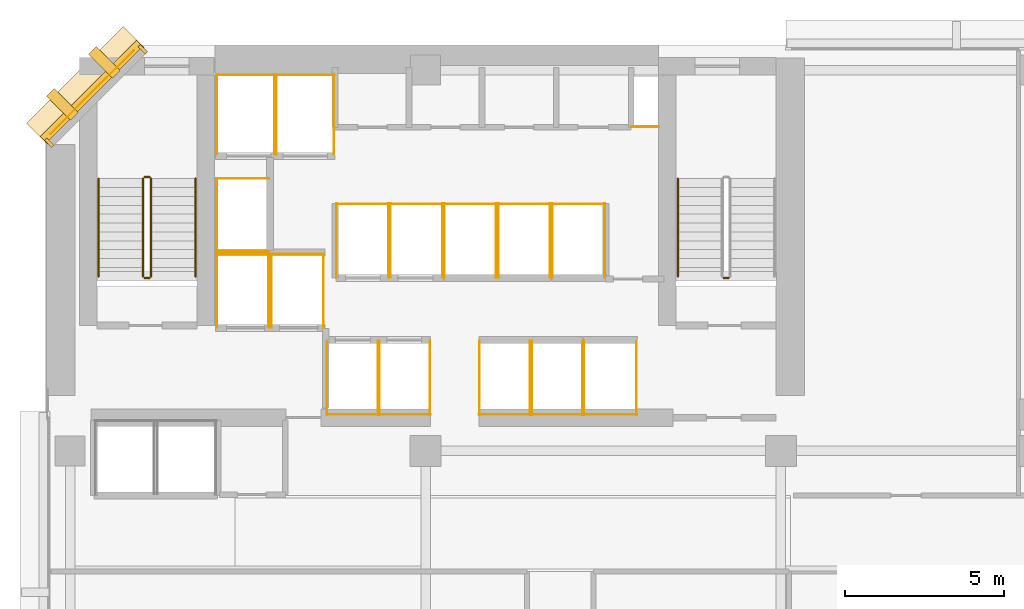
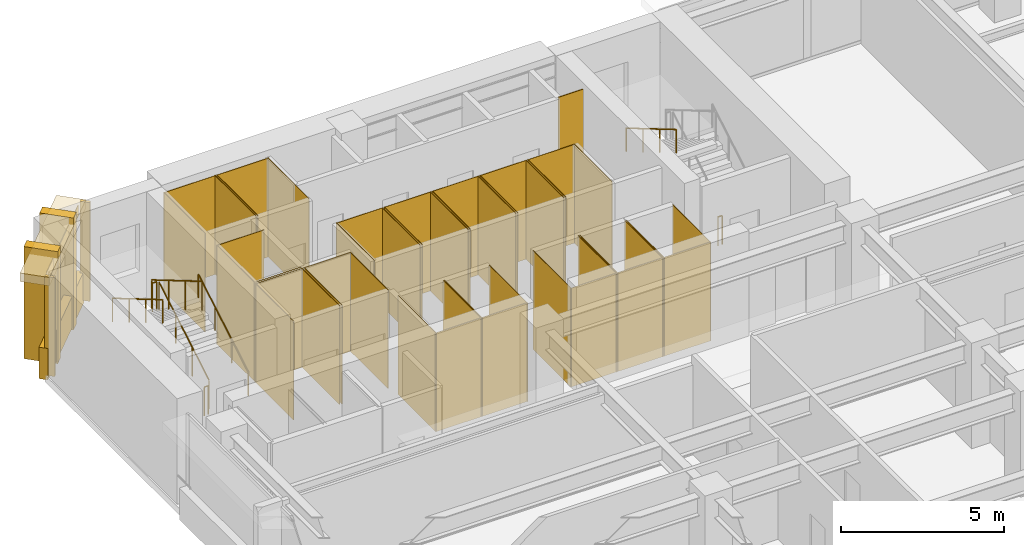
# One storey, part 11 of 13: 53 coverings, 8 railings.
"""IFC4 building model written with IfcOpenShell, lengths in metres."""

from ifc_helpers import new_model, si_unit, direction, frame, origin, origin_2d, place, context, subcontext, project, spatial, polyline, rectangle, circle, outline, extrude, material, layer, layer_set, type_object, element, save


model = new_model("IFC4")

# Units and contexts
model_context = context("Model", 3, precision=1e-05, world=origin(), true_north=direction((0.0, 1.0)))
body_context = subcontext(model_context, "Body", "Model", "MODEL_VIEW")
ifc_project = project(units=[si_unit("LENGTHUNIT", "METRE"), si_unit("AREAUNIT", "SQUARE_METRE"), si_unit("VOLUMEUNIT", "CUBIC_METRE"), si_unit("PLANEANGLEUNIT", "RADIAN"), si_unit("MASSUNIT", "GRAM", prefix="KILO")], contexts=[model_context])

# Site, building, storey
site_placement = place(None, origin())
site = spatial("IfcSite", under=ifc_project, at=site_placement, CompositionType="ELEMENT")
building_placement = place(site_placement, origin())
building = spatial("IfcBuilding", under=site, at=building_placement, Name="Kefirva Bronze Tower", CompositionType="ELEMENT")
storey_placement = place(building_placement, frame((0.0, 0.0, 58.080078125)))
storey = spatial("IfcBuildingStorey", under=building, at=storey_placement, Name="L13", CompositionType="ELEMENT", Elevation=58.080078125)

# Coverings
ifc_material_1 = material(Name="Bronze anodised aluminium", Category="aluminium")
ifc_layer_1 = layer(ifc_material_1, 0.02001953125, Name="Bronze anodised aluminium")
ifc_layer_set_1 = layer_set([ifc_layer_1], Name="Bronze anodised aluminium")
covering_type_1 = type_object("IfcCoveringType", Name="Anodised Bronze Spandrel Cladding 20mm", PredefinedType="CLADDING", material=ifc_layer_set_1)
covering_1_placement = place(storey_placement, frame((1.492919921875, 44.507080078125, 3.2900390625), z_axis=(0.0, 0.0, 1.0), x_axis=(-0.707106781187, -0.707106781187, 0.0)))
element("IfcCovering", 1, at=covering_1_placement, inside=storey, type_object=covering_type_1, Name="L13 Bronze Spandrel Cladding 6", PredefinedType="CLADDING", context=body_context, shape_type="SweptSolid", body=[
    extrude(rectangle(XDim=3.719482421875, YDim=0.02001953125, at=origin_2d()), origin(), (0.0, 0.0, 1.0), 0.39990234375),
])
for number, where, z_axis, x_axis, name in (
    (2, (3.08837890625, 45.862060546875, 0.0), (0.0, 0.0, 1.0), (-0.707106781187, -0.707106781187, 0.0), "L13 Facade Joint Closure Panel 6S"),
    (3, (0.137939453125, 42.91162109375, 0.0), (0.0, 0.0, 1.0), (-0.707106781187, -0.707106781187, 0.0), "L13 Facade Joint Closure Panel 6E"),
):
    element("IfcCovering", number, at=place(storey_placement, frame(where, z_axis=z_axis, x_axis=x_axis)), inside=storey, type_object=covering_type_1, Name=name, PredefinedType="CLADDING", context=body_context, shape_type="SweptSolid", body=[
        extrude(rectangle(XDim=0.10009765625, YDim=0.320068359375, at=origin_2d()), origin(), (0.0, 0.0, 1.0), 3.7099609375),
    ])
covering_2_placement = place(storey_placement, frame((1.4716796875, 44.5283203125, -0.16015625), z_axis=(0.0, 0.0, 1.0), x_axis=(-0.707106781187, -0.707106781187, 0.0)))
element("IfcCovering", 4, at=covering_2_placement, inside=storey, type_object=covering_type_1, Name="L13 Streamline Horizontal Spandrel Band 9", PredefinedType="CLADDING", context=body_context, shape_type="SweptSolid", body=[
    extrude(rectangle(XDim=4.28271484375, YDim=0.280029296875, at=origin_2d()), origin(), (0.0, 0.0, 1.0), 1.179931640625),
])
covering_3_placement = place(storey_placement, origin())
element("IfcCovering", 5, at=covering_3_placement, inside=storey, type_object=covering_type_1, Name="L13 Lift FF1 Hoistway Liner N", PredefinedType="CLADDING", context=body_context, shape_type="SweptSolid", body=[
    extrude(outline(polyline([(5.39990234375, 39.389892578125), (7.080078125, 39.389892578125), (7.080078125, 39.409912109375), (5.39990234375, 39.409912109375), (5.39990234375, 39.389892578125)])), origin(), (0.0, 0.0, 1.0), 3.7099609375),
])
covering_4_placement = place(storey_placement, origin())
element("IfcCovering", 6, at=covering_4_placement, inside=storey, type_object=covering_type_1, Name="L13 Lift FF1 Hoistway Liner W", PredefinedType="CLADDING", context=body_context, shape_type="SweptSolid", body=[
    extrude(outline(polyline([(5.409912109375, 37.080078125), (5.429931640625, 37.080078125), (5.429931640625, 39.419921875), (5.409912109375, 39.419921875), (5.409912109375, 37.080078125)])), origin(), (0.0, 0.0, 1.0), 3.7099609375),
])
covering_5_placement = place(storey_placement, origin())
element("IfcCovering", 7, at=covering_5_placement, inside=storey, type_object=covering_type_1, Name="L13 Lift FF1 Hoistway Liner E", PredefinedType="CLADDING", context=body_context, shape_type="SweptSolid", body=[
    extrude(outline(polyline([(7.050048828125, 37.080078125), (7.070068359375, 37.080078125), (7.070068359375, 39.419921875), (7.050048828125, 39.419921875), (7.050048828125, 37.080078125)])), origin(), (0.0, 0.0, 1.0), 3.7099609375),
])
covering_6_placement = place(storey_placement, origin())
element("IfcCovering", 8, at=covering_6_placement, inside=storey, type_object=covering_type_1, Name="L13 Lift FF2 Hoistway Liner N", PredefinedType="CLADDING", context=body_context, shape_type="SweptSolid", body=[
    extrude(outline(polyline([(7.1201171875, 39.389892578125), (8.800048828125, 39.389892578125), (8.800048828125, 39.409912109375), (7.1201171875, 39.409912109375), (7.1201171875, 39.389892578125)])), origin(), (0.0, 0.0, 1.0), 3.7099609375),
])
covering_7_placement = place(storey_placement, origin())
element("IfcCovering", 9, at=covering_7_placement, inside=storey, type_object=covering_type_1, Name="L13 Lift FF2 Hoistway Liner W", PredefinedType="CLADDING", context=body_context, shape_type="SweptSolid", body=[
    extrude(outline(polyline([(7.1298828125, 37.080078125), (7.14990234375, 37.080078125), (7.14990234375, 39.419921875), (7.1298828125, 39.419921875), (7.1298828125, 37.080078125)])), origin(), (0.0, 0.0, 1.0), 3.7099609375),
])
covering_8_placement = place(storey_placement, origin())
element("IfcCovering", 10, at=covering_8_placement, inside=storey, type_object=covering_type_1, Name="L13 Lift FF2 Hoistway Liner E", PredefinedType="CLADDING", context=body_context, shape_type="SweptSolid", body=[
    extrude(outline(polyline([(8.77001953125, 37.080078125), (8.7900390625, 37.080078125), (8.7900390625, 39.419921875), (8.77001953125, 39.419921875), (8.77001953125, 37.080078125)])), origin(), (0.0, 0.0, 1.0), 3.7099609375),
])
covering_9_placement = place(storey_placement, origin())
element("IfcCovering", 11, at=covering_9_placement, inside=storey, type_object=covering_type_1, Name="L13 Lift SV1 Hoistway Liner N", PredefinedType="CLADDING", context=body_context, shape_type="SweptSolid", body=[
    extrude(outline(polyline([(5.39990234375, 45.0400390625), (7.260009765625, 45.0400390625), (7.260009765625, 45.06005859375), (5.39990234375, 45.06005859375), (5.39990234375, 45.0400390625)])), origin(), (0.0, 0.0, 1.0), 3.7099609375),
])
covering_10_placement = place(storey_placement, origin())
element("IfcCovering", 12, at=covering_10_placement, inside=storey, type_object=covering_type_1, Name="L13 Lift SV1 Hoistway Liner W", PredefinedType="CLADDING", context=body_context, shape_type="SweptSolid", body=[
    extrude(outline(polyline([(5.409912109375, 42.530029296875), (5.429931640625, 42.530029296875), (5.429931640625, 45.070068359375), (5.409912109375, 45.070068359375), (5.409912109375, 42.530029296875)])), origin(), (0.0, 0.0, 1.0), 3.7099609375),
])
covering_11_placement = place(storey_placement, origin())
element("IfcCovering", 13, at=covering_11_placement, inside=storey, type_object=covering_type_1, Name="L13 Lift SV1 Hoistway Liner E", PredefinedType="CLADDING", context=body_context, shape_type="SweptSolid", body=[
    extrude(outline(polyline([(7.22998046875, 42.530029296875), (7.25, 42.530029296875), (7.25, 45.070068359375), (7.22998046875, 45.070068359375), (7.22998046875, 42.530029296875)])), origin(), (0.0, 0.0, 1.0), 3.7099609375),
])
covering_12_placement = place(storey_placement, origin())
element("IfcCovering", 14, at=covering_12_placement, inside=storey, type_object=covering_type_1, Name="L13 Lift SV2 Hoistway Liner N", PredefinedType="CLADDING", context=body_context, shape_type="SweptSolid", body=[
    extrude(outline(polyline([(7.280029296875, 45.0400390625), (9.139892578125, 45.0400390625), (9.139892578125, 45.06005859375), (7.280029296875, 45.06005859375), (7.280029296875, 45.0400390625)])), origin(), (0.0, 0.0, 1.0), 3.7099609375),
])
covering_13_placement = place(storey_placement, origin())
element("IfcCovering", 15, at=covering_13_placement, inside=storey, type_object=covering_type_1, Name="L13 Lift SV2 Hoistway Liner W", PredefinedType="CLADDING", context=body_context, shape_type="SweptSolid", body=[
    extrude(outline(polyline([(7.2900390625, 42.530029296875), (7.31005859375, 42.530029296875), (7.31005859375, 45.070068359375), (7.2900390625, 45.070068359375), (7.2900390625, 42.530029296875)])), origin(), (0.0, 0.0, 1.0), 3.7099609375),
])
covering_14_placement = place(storey_placement, origin())
element("IfcCovering", 16, at=covering_14_placement, inside=storey, type_object=covering_type_1, Name="L13 Lift SV2 Hoistway Liner E", PredefinedType="CLADDING", context=body_context, shape_type="SweptSolid", body=[
    extrude(outline(polyline([(9.110107421875, 42.530029296875), (9.1298828125, 42.530029296875), (9.1298828125, 45.070068359375), (9.110107421875, 45.070068359375), (9.110107421875, 42.530029296875)])), origin(), (0.0, 0.0, 1.0), 3.7099609375),
])
covering_15_placement = place(storey_placement, origin())
element("IfcCovering", 17, at=covering_15_placement, inside=storey, type_object=covering_type_1, Name="L13 Lift LP1 Hoistway Liner S", PredefinedType="CLADDING", context=body_context, shape_type="SweptSolid", body=[
    extrude(outline(polyline([(8.8798828125, 34.340087890625), (10.52001953125, 34.340087890625), (10.52001953125, 34.360107421875), (8.8798828125, 34.360107421875), (8.8798828125, 34.340087890625)])), origin(), (0.0, 0.0, 1.0), 3.7099609375),
])
covering_16_placement = place(storey_placement, origin())
element("IfcCovering", 18, at=covering_16_placement, inside=storey, type_object=covering_type_1, Name="L13 Lift LP1 Hoistway Liner W", PredefinedType="CLADDING", context=body_context, shape_type="SweptSolid", body=[
    extrude(outline(polyline([(8.889892578125, 34.330078125), (8.909912109375, 34.330078125), (8.909912109375, 36.669921875), (8.889892578125, 36.669921875), (8.889892578125, 34.330078125)])), origin(), (0.0, 0.0, 1.0), 3.7099609375),
])
covering_17_placement = place(storey_placement, origin())
element("IfcCovering", 19, at=covering_17_placement, inside=storey, type_object=covering_type_1, Name="L13 Lift LP1 Hoistway Liner E", PredefinedType="CLADDING", context=body_context, shape_type="SweptSolid", body=[
    extrude(outline(polyline([(10.489990234375, 34.330078125), (10.510009765625, 34.330078125), (10.510009765625, 36.669921875), (10.489990234375, 36.669921875), (10.489990234375, 34.330078125)])), origin(), (0.0, 0.0, 1.0), 3.7099609375),
])
covering_18_placement = place(storey_placement, origin())
element("IfcCovering", 20, at=covering_18_placement, inside=storey, type_object=covering_type_1, Name="L13 Lift LP2 Hoistway Liner S", PredefinedType="CLADDING", context=body_context, shape_type="SweptSolid", body=[
    extrude(outline(polyline([(10.52001953125, 34.340087890625), (12.159912109375, 34.340087890625), (12.159912109375, 34.360107421875), (10.52001953125, 34.360107421875), (10.52001953125, 34.340087890625)])), origin(), (0.0, 0.0, 1.0), 3.7099609375),
])
covering_19_placement = place(storey_placement, origin())
element("IfcCovering", 21, at=covering_19_placement, inside=storey, type_object=covering_type_1, Name="L13 Lift LP2 Hoistway Liner W", PredefinedType="CLADDING", context=body_context, shape_type="SweptSolid", body=[
    extrude(outline(polyline([(10.530029296875, 34.330078125), (10.550048828125, 34.330078125), (10.550048828125, 36.669921875), (10.530029296875, 36.669921875), (10.530029296875, 34.330078125)])), origin(), (0.0, 0.0, 1.0), 3.7099609375),
])
covering_20_placement = place(storey_placement, origin())
element("IfcCovering", 22, at=covering_20_placement, inside=storey, type_object=covering_type_1, Name="L13 Lift LP2 Hoistway Liner E", PredefinedType="CLADDING", context=body_context, shape_type="SweptSolid", body=[
    extrude(outline(polyline([(12.1298828125, 34.330078125), (12.14990234375, 34.330078125), (12.14990234375, 36.669921875), (12.1298828125, 36.669921875), (12.1298828125, 34.330078125)])), origin(), (0.0, 0.0, 1.0), 3.7099609375),
])
covering_21_placement = place(storey_placement, origin())
element("IfcCovering", 23, at=covering_21_placement, inside=storey, type_object=covering_type_1, Name="L13 Lift LP3 Hoistway Liner N", PredefinedType="CLADDING", context=body_context, shape_type="SweptSolid", body=[
    extrude(outline(polyline([(9.179931640625, 40.969970703125), (10.85009765625, 40.969970703125), (10.85009765625, 40.989990234375), (9.179931640625, 40.989990234375), (9.179931640625, 40.969970703125)])), origin(), (0.0, 0.0, 1.0), 3.7099609375),
])
covering_22_placement = place(storey_placement, origin())
element("IfcCovering", 24, at=covering_22_placement, inside=storey, type_object=covering_type_1, Name="L13 Lift LP3 Hoistway Liner W", PredefinedType="CLADDING", context=body_context, shape_type="SweptSolid", body=[
    extrude(outline(polyline([(9.18994140625, 38.659912109375), (9.2099609375, 38.659912109375), (9.2099609375, 41.0), (9.18994140625, 41.0), (9.18994140625, 38.659912109375)])), origin(), (0.0, 0.0, 1.0), 3.7099609375),
])
covering_23_placement = place(storey_placement, origin())
element("IfcCovering", 25, at=covering_23_placement, inside=storey, type_object=covering_type_1, Name="L13 Lift LP3 Hoistway Liner E", PredefinedType="CLADDING", context=body_context, shape_type="SweptSolid", body=[
    extrude(outline(polyline([(10.820068359375, 38.659912109375), (10.840087890625, 38.659912109375), (10.840087890625, 41.0), (10.820068359375, 41.0), (10.820068359375, 38.659912109375)])), origin(), (0.0, 0.0, 1.0), 3.7099609375),
])
covering_24_placement = place(storey_placement, origin())
element("IfcCovering", 26, at=covering_24_placement, inside=storey, type_object=covering_type_1, Name="L13 Lift LP4 Hoistway Liner N", PredefinedType="CLADDING", context=body_context, shape_type="SweptSolid", body=[
    extrude(outline(polyline([(10.8798828125, 40.969970703125), (12.550048828125, 40.969970703125), (12.550048828125, 40.989990234375), (10.8798828125, 40.989990234375), (10.8798828125, 40.969970703125)])), origin(), (0.0, 0.0, 1.0), 3.7099609375),
])
covering_25_placement = place(storey_placement, origin())
element("IfcCovering", 27, at=covering_25_placement, inside=storey, type_object=covering_type_1, Name="L13 Lift LP4 Hoistway Liner W", PredefinedType="CLADDING", context=body_context, shape_type="SweptSolid", body=[
    extrude(outline(polyline([(10.889892578125, 38.659912109375), (10.909912109375, 38.659912109375), (10.909912109375, 41.0), (10.889892578125, 41.0), (10.889892578125, 38.659912109375)])), origin(), (0.0, 0.0, 1.0), 3.7099609375),
])
covering_26_placement = place(storey_placement, origin())
element("IfcCovering", 28, at=covering_26_placement, inside=storey, type_object=covering_type_1, Name="L13 Lift LP4 Hoistway Liner E", PredefinedType="CLADDING", context=body_context, shape_type="SweptSolid", body=[
    extrude(outline(polyline([(12.52001953125, 38.659912109375), (12.5400390625, 38.659912109375), (12.5400390625, 41.0), (12.52001953125, 41.0), (12.52001953125, 38.659912109375)])), origin(), (0.0, 0.0, 1.0), 3.7099609375),
])
covering_27_placement = place(storey_placement, origin())
element("IfcCovering", 29, at=covering_27_placement, inside=storey, type_object=covering_type_1, Name="L13 Lift MP1 Hoistway Liner S", PredefinedType="CLADDING", context=body_context, shape_type="SweptSolid", body=[
    extrude(outline(polyline([(13.679931640625, 34.340087890625), (15.320068359375, 34.340087890625), (15.320068359375, 34.360107421875), (13.679931640625, 34.360107421875), (13.679931640625, 34.340087890625)])), origin(), (0.0, 0.0, 1.0), 3.7099609375),
])
covering_28_placement = place(storey_placement, origin())
element("IfcCovering", 30, at=covering_28_placement, inside=storey, type_object=covering_type_1, Name="L13 Lift MP1 Hoistway Liner W", PredefinedType="CLADDING", context=body_context, shape_type="SweptSolid", body=[
    extrude(outline(polyline([(13.68994140625, 34.330078125), (13.7099609375, 34.330078125), (13.7099609375, 36.669921875), (13.68994140625, 36.669921875), (13.68994140625, 34.330078125)])), origin(), (0.0, 0.0, 1.0), 3.7099609375),
])
covering_29_placement = place(storey_placement, origin())
element("IfcCovering", 31, at=covering_29_placement, inside=storey, type_object=covering_type_1, Name="L13 Lift MP1 Hoistway Liner E", PredefinedType="CLADDING", context=body_context, shape_type="SweptSolid", body=[
    extrude(outline(polyline([(15.2900390625, 34.330078125), (15.31005859375, 34.330078125), (15.31005859375, 36.669921875), (15.2900390625, 36.669921875), (15.2900390625, 34.330078125)])), origin(), (0.0, 0.0, 1.0), 3.7099609375),
])
covering_30_placement = place(storey_placement, origin())
element("IfcCovering", 32, at=covering_30_placement, inside=storey, type_object=covering_type_1, Name="L13 Lift MP2 Hoistway Liner S", PredefinedType="CLADDING", context=body_context, shape_type="SweptSolid", body=[
    extrude(outline(polyline([(15.330078125, 34.340087890625), (16.969970703125, 34.340087890625), (16.969970703125, 34.360107421875), (15.330078125, 34.360107421875), (15.330078125, 34.340087890625)])), origin(), (0.0, 0.0, 1.0), 3.7099609375),
])
covering_31_placement = place(storey_placement, origin())
element("IfcCovering", 33, at=covering_31_placement, inside=storey, type_object=covering_type_1, Name="L13 Lift MP2 Hoistway Liner W", PredefinedType="CLADDING", context=body_context, shape_type="SweptSolid", body=[
    extrude(outline(polyline([(15.340087890625, 34.330078125), (15.360107421875, 34.330078125), (15.360107421875, 36.669921875), (15.340087890625, 36.669921875), (15.340087890625, 34.330078125)])), origin(), (0.0, 0.0, 1.0), 3.7099609375),
])
covering_32_placement = place(storey_placement, origin())
element("IfcCovering", 34, at=covering_32_placement, inside=storey, type_object=covering_type_1, Name="L13 Lift MP2 Hoistway Liner E", PredefinedType="CLADDING", context=body_context, shape_type="SweptSolid", body=[
    extrude(outline(polyline([(16.93994140625, 34.330078125), (16.9599609375, 34.330078125), (16.9599609375, 36.669921875), (16.93994140625, 36.669921875), (16.93994140625, 34.330078125)])), origin(), (0.0, 0.0, 1.0), 3.7099609375),
])
covering_33_placement = place(storey_placement, origin())
element("IfcCovering", 35, at=covering_33_placement, inside=storey, type_object=covering_type_1, Name="L13 Lift MP3 Hoistway Liner N", PredefinedType="CLADDING", context=body_context, shape_type="SweptSolid", body=[
    extrude(outline(polyline([(12.580078125, 40.969970703125), (14.25, 40.969970703125), (14.25, 40.989990234375), (12.580078125, 40.989990234375), (12.580078125, 40.969970703125)])), origin(), (0.0, 0.0, 1.0), 3.7099609375),
])
covering_34_placement = place(storey_placement, origin())
element("IfcCovering", 36, at=covering_34_placement, inside=storey, type_object=covering_type_1, Name="L13 Lift MP3 Hoistway Liner W", PredefinedType="CLADDING", context=body_context, shape_type="SweptSolid", body=[
    extrude(outline(polyline([(12.590087890625, 38.659912109375), (12.610107421875, 38.659912109375), (12.610107421875, 41.0), (12.590087890625, 41.0), (12.590087890625, 38.659912109375)])), origin(), (0.0, 0.0, 1.0), 3.7099609375),
])
covering_35_placement = place(storey_placement, origin())
element("IfcCovering", 37, at=covering_35_placement, inside=storey, type_object=covering_type_1, Name="L13 Lift MP3 Hoistway Liner E", PredefinedType="CLADDING", context=body_context, shape_type="SweptSolid", body=[
    extrude(outline(polyline([(14.219970703125, 38.659912109375), (14.239990234375, 38.659912109375), (14.239990234375, 41.0), (14.219970703125, 41.0), (14.219970703125, 38.659912109375)])), origin(), (0.0, 0.0, 1.0), 3.7099609375),
])
covering_36_placement = place(storey_placement, origin())
element("IfcCovering", 38, at=covering_36_placement, inside=storey, type_object=covering_type_1, Name="L13 Lift MP4 Hoistway Liner N", PredefinedType="CLADDING", context=body_context, shape_type="SweptSolid", body=[
    extrude(outline(polyline([(14.280029296875, 40.969970703125), (15.949951171875, 40.969970703125), (15.949951171875, 40.989990234375), (14.280029296875, 40.989990234375), (14.280029296875, 40.969970703125)])), origin(), (0.0, 0.0, 1.0), 3.7099609375),
])
covering_37_placement = place(storey_placement, origin())
element("IfcCovering", 39, at=covering_37_placement, inside=storey, type_object=covering_type_1, Name="L13 Lift MP4 Hoistway Liner W", PredefinedType="CLADDING", context=body_context, shape_type="SweptSolid", body=[
    extrude(outline(polyline([(14.2900390625, 38.659912109375), (14.31005859375, 38.659912109375), (14.31005859375, 41.0), (14.2900390625, 41.0), (14.2900390625, 38.659912109375)])), origin(), (0.0, 0.0, 1.0), 3.7099609375),
])
covering_38_placement = place(storey_placement, origin())
element("IfcCovering", 40, at=covering_38_placement, inside=storey, type_object=covering_type_1, Name="L13 Lift MP4 Hoistway Liner E", PredefinedType="CLADDING", context=body_context, shape_type="SweptSolid", body=[
    extrude(outline(polyline([(15.919921875, 38.659912109375), (15.93994140625, 38.659912109375), (15.93994140625, 41.0), (15.919921875, 41.0), (15.919921875, 38.659912109375)])), origin(), (0.0, 0.0, 1.0), 3.7099609375),
])
covering_39_placement = place(storey_placement, origin())
element("IfcCovering", 41, at=covering_39_placement, inside=storey, type_object=covering_type_1, Name="L13 Lift HP1 Hoistway Liner S", PredefinedType="CLADDING", context=body_context, shape_type="SweptSolid", body=[
    extrude(outline(polyline([(16.97998046875, 34.340087890625), (18.669921875, 34.340087890625), (18.669921875, 34.360107421875), (16.97998046875, 34.360107421875), (16.97998046875, 34.340087890625)])), origin(), (0.0, 0.0, 1.0), 3.7099609375),
])
covering_40_placement = place(storey_placement, origin())
element("IfcCovering", 42, at=covering_40_placement, inside=storey, type_object=covering_type_1, Name="L13 Lift HP1 Hoistway Liner W", PredefinedType="CLADDING", context=body_context, shape_type="SweptSolid", body=[
    extrude(outline(polyline([(16.989990234375, 34.330078125), (17.010009765625, 34.330078125), (17.010009765625, 36.669921875), (16.989990234375, 36.669921875), (16.989990234375, 34.330078125)])), origin(), (0.0, 0.0, 1.0), 3.7099609375),
])
covering_41_placement = place(storey_placement, origin())
element("IfcCovering", 43, at=covering_41_placement, inside=storey, type_object=covering_type_1, Name="L13 Lift HP1 Hoistway Liner E", PredefinedType="CLADDING", context=body_context, shape_type="SweptSolid", body=[
    extrude(outline(polyline([(18.639892578125, 34.330078125), (18.659912109375, 34.330078125), (18.659912109375, 36.669921875), (18.639892578125, 36.669921875), (18.639892578125, 34.330078125)])), origin(), (0.0, 0.0, 1.0), 3.7099609375),
])
covering_42_placement = place(storey_placement, origin())
element("IfcCovering", 44, at=covering_42_placement, inside=storey, type_object=covering_type_1, Name="L13 Lift HP2 Hoistway Liner N", PredefinedType="CLADDING", context=body_context, shape_type="SweptSolid", body=[
    extrude(outline(polyline([(15.97998046875, 40.969970703125), (17.669921875, 40.969970703125), (17.669921875, 40.989990234375), (15.97998046875, 40.989990234375), (15.97998046875, 40.969970703125)])), origin(), (0.0, 0.0, 1.0), 3.7099609375),
])
covering_43_placement = place(storey_placement, origin())
element("IfcCovering", 45, at=covering_43_placement, inside=storey, type_object=covering_type_1, Name="L13 Lift HP2 Hoistway Liner W", PredefinedType="CLADDING", context=body_context, shape_type="SweptSolid", body=[
    extrude(outline(polyline([(15.989990234375, 38.659912109375), (16.010009765625, 38.659912109375), (16.010009765625, 41.0), (15.989990234375, 41.0), (15.989990234375, 38.659912109375)])), origin(), (0.0, 0.0, 1.0), 3.7099609375),
])
covering_44_placement = place(storey_placement, origin())
element("IfcCovering", 46, at=covering_44_placement, inside=storey, type_object=covering_type_1, Name="L13 Lift HP2 Hoistway Liner E", PredefinedType="CLADDING", context=body_context, shape_type="SweptSolid", body=[
    extrude(outline(polyline([(17.639892578125, 38.659912109375), (17.659912109375, 38.659912109375), (17.659912109375, 41.0), (17.639892578125, 41.0), (17.639892578125, 38.659912109375)])), origin(), (0.0, 0.0, 1.0), 3.7099609375),
])
covering_45_placement = place(storey_placement, origin())
element("IfcCovering", 47, at=covering_45_placement, inside=storey, type_object=covering_type_1, Name="L13 Lift HP3 Hoistway Liner N", PredefinedType="CLADDING", context=body_context, shape_type="SweptSolid", body=[
    extrude(outline(polyline([(5.39990234375, 41.77001953125), (7.080078125, 41.77001953125), (7.080078125, 41.7900390625), (5.39990234375, 41.7900390625), (5.39990234375, 41.77001953125)])), origin(), (0.0, 0.0, 1.0), 3.7099609375),
])
covering_46_placement = place(storey_placement, origin())
element("IfcCovering", 48, at=covering_46_placement, inside=storey, type_object=covering_type_1, Name="L13 Lift HP3 Hoistway Liner S", PredefinedType="CLADDING", context=body_context, shape_type="SweptSolid", body=[
    extrude(outline(polyline([(5.39990234375, 39.469970703125), (7.080078125, 39.469970703125), (7.080078125, 39.489990234375), (5.39990234375, 39.489990234375), (5.39990234375, 39.469970703125)])), origin(), (0.0, 0.0, 1.0), 3.7099609375),
])
covering_47_placement = place(storey_placement, origin())
element("IfcCovering", 49, at=covering_47_placement, inside=storey, type_object=covering_type_1, Name="L13 Lift HP3 Hoistway Liner W", PredefinedType="CLADDING", context=body_context, shape_type="SweptSolid", body=[
    extrude(outline(polyline([(5.409912109375, 39.4599609375), (5.429931640625, 39.4599609375), (5.429931640625, 41.800048828125), (5.409912109375, 41.800048828125), (5.409912109375, 39.4599609375)])), origin(), (0.0, 0.0, 1.0), 3.7099609375),
])
covering_48_placement = place(storey_placement, origin())
element("IfcCovering", 50, at=covering_48_placement, inside=storey, type_object=covering_type_1, Name="L13 Core MEP Riser Shaft Liner South", PredefinedType="CLADDING", context=body_context, shape_type="SweptSolid", body=[
    extrude(outline(polyline([(18.47998046875, 43.39990234375), (19.360107421875, 43.39990234375), (19.360107421875, 43.429931640625), (18.47998046875, 43.429931640625), (18.47998046875, 43.39990234375)])), origin(), (0.0, 0.0, 1.0), 3.7099609375),
])

# Railings
ifc_material_2 = material(Name="Stainless steel 316", Category="steel")
railing_type_1 = type_object("IfcRailingType", Name="Interior Stair Guardrail 1100mm", PredefinedType="GUARDRAIL", material=ifc_material_2)
railing_1_placement = place(storey_placement, frame((3.35009765625, 38.699951171875, 0.1650390625)))
element("IfcRailing", 51, at=railing_1_placement, inside=storey, type_object=railing_type_1, Name="L13 ST-1 stair guard 1", PredefinedType="GUARDRAIL", context=body_context, shape_type="SweptSolid", body=[
    extrude(circle(Radius=0.02392578125, at=origin_2d()), frame((0.0, 0.0, 1.076171875), z_axis=(0.0, 0.861551262678, 0.507670583921), x_axis=(-1.0, 0.0, 0.0)), (0.0, 0.0, 1.0), 3.574951171875),
    extrude(circle(Radius=0.02099609375, at=origin_2d()), origin(), (0.0, 0.0, 1.0), 1.052001953125),
    extrude(circle(Radius=0.02099609375, at=origin_2d()), frame((0.0, 1.026611328125, 0.60498046875)), (0.0, 0.0, 1.0), 1.052001953125),
    extrude(circle(Radius=0.02099609375, at=origin_2d()), frame((0.0, 2.053466796875, 1.2099609375)), (0.0, 0.0, 1.0), 1.052001953125),
    extrude(circle(Radius=0.02099609375, at=origin_2d()), frame((0.0, 3.080078125, 1.81494140625)), (0.0, 0.0, 1.0), 1.052001953125),
])
railing_2_placement = place(storey_placement, frame((3.300048828125, 41.830078125, 1.97998046875)))
element("IfcRailing", 52, at=railing_2_placement, inside=storey, type_object=railing_type_1, Name="L13 ST-1 stair guard 2", PredefinedType="GUARDRAIL", context=body_context, shape_type="SweptSolid", body=[
    extrude(circle(Radius=0.02392578125, at=origin_2d()), frame((0.0, 0.0, 1.076171875), z_axis=(-1.0, 0.0, 0.0), x_axis=(0.0, -1.0, 0.0)), (0.0, 0.0, 1.0), 0.150146484375),
    extrude(circle(Radius=0.02099609375, at=origin_2d()), origin(), (0.0, 0.0, 1.0), 1.052001953125),
    extrude(circle(Radius=0.02099609375, at=origin_2d()), frame((-0.150146484375, 0.0, 0.0)), (0.0, 0.0, 1.0), 1.052001953125),
])
railing_3_placement = place(storey_placement, frame((3.10009765625, 41.780029296875, 2.14501953125)))
element("IfcRailing", 53, at=railing_3_placement, inside=storey, type_object=railing_type_1, Name="L13 ST-1 stair guard 3", PredefinedType="GUARDRAIL", context=body_context, shape_type="SweptSolid", body=[
    extrude(circle(Radius=0.02392578125, at=origin_2d()), frame((0.0, 0.0, 1.076171875), z_axis=(0.0, -0.861551262678, 0.507670583921), x_axis=(1.0, 0.0, 0.0)), (0.0, 0.0, 1.0), 3.574951171875),
    extrude(circle(Radius=0.02099609375, at=origin_2d()), origin(), (0.0, 0.0, 1.0), 1.052001953125),
    extrude(circle(Radius=0.02099609375, at=origin_2d()), frame((0.0, -1.026611328125, 0.60498046875)), (0.0, 0.0, 1.0), 1.052001953125),
    extrude(circle(Radius=0.02099609375, at=origin_2d()), frame((0.0, -2.053466796875, 1.2099609375)), (0.0, 0.0, 1.0), 1.052001953125),
    extrude(circle(Radius=0.02099609375, at=origin_2d()), frame((0.0, -3.080078125, 1.81494140625)), (0.0, 0.0, 1.0), 1.052001953125),
])
for number, where, name in (
    (54, (3.300048828125, 38.64990234375, 0.0), "L13 ST-1 stair guard 4"),
    (55, (21.550048828125, 38.64990234375, 0.0), "L13 ST-2 stair guard 4"),
):
    element("IfcRailing", number, at=place(storey_placement, frame(where)), inside=storey, type_object=railing_type_1, Name=name, PredefinedType="GUARDRAIL", context=body_context, shape_type="SweptSolid", body=[
        extrude(circle(Radius=0.02392578125, at=origin_2d()), frame((0.0, 0.0, 1.076171875), z_axis=(-1.0, 0.0, 0.0), x_axis=(0.0, -1.0, 0.0)), (0.0, 0.0, 1.0), 0.150146484375),
        extrude(circle(Radius=0.02099609375, at=origin_2d()), origin(), (0.0, 0.0, 1.0), 1.052001953125),
        extrude(circle(Radius=0.02099609375, at=origin_2d()), frame((-0.150146484375, 0.0, 0.0)), (0.0, 0.0, 1.0), 1.052001953125),
    ])
railing_type_2 = type_object("IfcRailingType", Name="Stair Pitch Handrail 900mm", PredefinedType="HANDRAIL", material=ifc_material_2)
railing_4_placement = place(storey_placement, frame((4.75, 38.699951171875, 0.1650390625)))
element("IfcRailing", 56, at=railing_4_placement, inside=storey, type_object=railing_type_2, Name="L13 ST-1 stair handrail 1", PredefinedType="HANDRAIL", context=body_context, shape_type="SweptSolid", body=[
    extrude(circle(Radius=0.02392578125, at=origin_2d()), frame((0.0, 0.0, 0.8759765625), z_axis=(0.0, 0.861551262678, 0.507670583921), x_axis=(-1.0, 0.0, 0.0)), (0.0, 0.0, 1.0), 3.574951171875),
    extrude(circle(Radius=0.02099609375, at=origin_2d()), origin(), (0.0, 0.0, 1.0), 0.851806640625),
    extrude(circle(Radius=0.02099609375, at=origin_2d()), frame((0.0, 1.026611328125, 0.60498046875)), (0.0, 0.0, 1.0), 0.851806640625),
    extrude(circle(Radius=0.02099609375, at=origin_2d()), frame((0.0, 2.053466796875, 1.2099609375)), (0.0, 0.0, 1.0), 0.851806640625),
    extrude(circle(Radius=0.02099609375, at=origin_2d()), frame((0.0, 3.080078125, 1.81494140625)), (0.0, 0.0, 1.0), 0.851806640625),
])
for number, where, name in (
    (57, (1.699951171875, 41.780029296875, 2.14501953125), "L13 ST-1 stair handrail 2"),
    (58, (19.949951171875, 41.780029296875, 2.14501953125), "L13 ST-2 stair handrail 2"),
):
    element("IfcRailing", number, at=place(storey_placement, frame(where)), inside=storey, type_object=railing_type_2, Name=name, PredefinedType="HANDRAIL", context=body_context, shape_type="SweptSolid", body=[
        extrude(circle(Radius=0.02392578125, at=origin_2d()), frame((0.0, 0.0, 0.8759765625), z_axis=(0.0, -0.861551262678, 0.507670583921), x_axis=(1.0, 0.0, 0.0)), (0.0, 0.0, 1.0), 3.574951171875),
        extrude(circle(Radius=0.02099609375, at=origin_2d()), origin(), (0.0, 0.0, 1.0), 0.851806640625),
        extrude(circle(Radius=0.02099609375, at=origin_2d()), frame((0.0, -1.026611328125, 0.60498046875)), (0.0, 0.0, 1.0), 0.851806640625),
        extrude(circle(Radius=0.02099609375, at=origin_2d()), frame((0.0, -2.053466796875, 1.2099609375)), (0.0, 0.0, 1.0), 0.851806640625),
        extrude(circle(Radius=0.02099609375, at=origin_2d()), frame((0.0, -3.080078125, 1.81494140625)), (0.0, 0.0, 1.0), 0.851806640625),
    ])

# Coverings
ifc_layer_2 = layer(ifc_material_1, 0.179931640625, Name="Bronze anodised aluminium")
ifc_layer_set_2 = layer_set([ifc_layer_2], Name="Bronze anodised aluminium")
covering_type_2 = type_object("IfcCoveringType", Name="Streamline Bronze Sunshade Eyebrow Cladding 180mm", PredefinedType="CLADDING", material=ifc_layer_set_2)
covering_49_placement = place(storey_placement, frame((1.28076171875, 44.71923828125, 3.3896484375), z_axis=(0.0, 0.0, 1.0), x_axis=(-0.707106781187, -0.707106781187, 0.0)))
element("IfcCovering", 59, at=covering_49_placement, inside=storey, type_object=covering_type_2, Name="L13 Streamline Bronze Sunshade Eyebrow 9", PredefinedType="CLADDING", context=body_context, shape_type="SweptSolid", body=[
    extrude(rectangle(XDim=4.322509765625, YDim=0.93994140625, at=origin_2d()), origin(), (0.0, 0.0, 1.0), 0.320068359375),
])
ifc_layer_3 = layer(ifc_material_1, 0.260009765625, Name="Bronze anodised aluminium")
ifc_layer_set_3 = layer_set([ifc_layer_3], Name="Bronze anodised aluminium")
covering_type_3 = type_object("IfcCoveringType", Name="Unbroken Bronze Buttress Fin Cladding 260mm", PredefinedType="CLADDING", material=ifc_layer_set_3)
for number, where, z_axis, x_axis, name in (
    (60, (1.877197265625, 45.44287109375, -0.25), (0.0, 0.0, 1.0), (-0.707106781187, -0.707106781187, 0.0), "L13 Chamfered Corner Buttress Fin Cladding 23"),
    (61, (0.55712890625, 44.122802734375, -0.25), (0.0, 0.0, 1.0), (-0.707106781187, -0.707106781187, 0.0), "L13 Chamfered Corner Buttress Fin Cladding 24"),
):
    element("IfcCovering", number, at=place(storey_placement, frame(where, z_axis=z_axis, x_axis=x_axis)), inside=storey, type_object=covering_type_3, Name=name, PredefinedType="CLADDING", context=body_context, shape_type="SweptSolid", body=[
        extrude(rectangle(XDim=0.340087890625, YDim=1.080078125, at=origin_2d()), origin(), (0.0, 0.0, 1.0), 4.2099609375),
    ])

save(model, "model.ifc")
